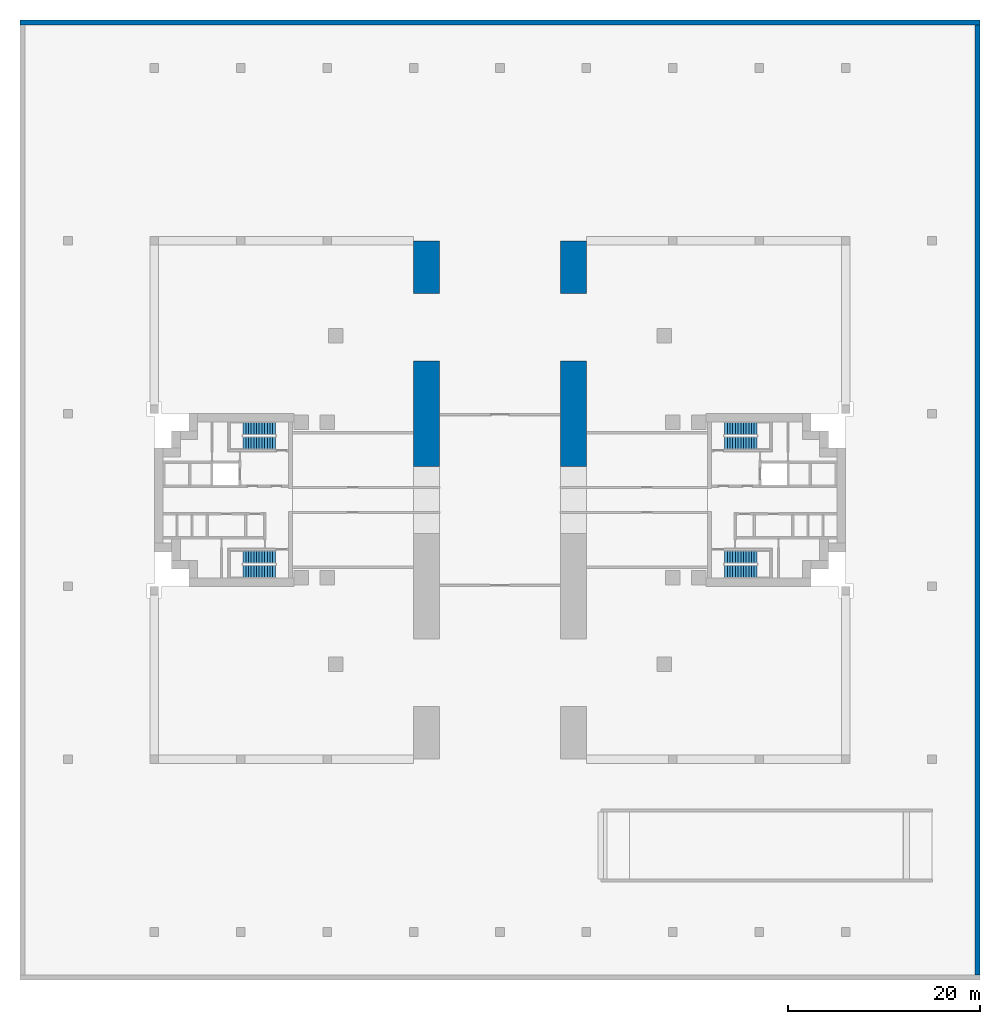
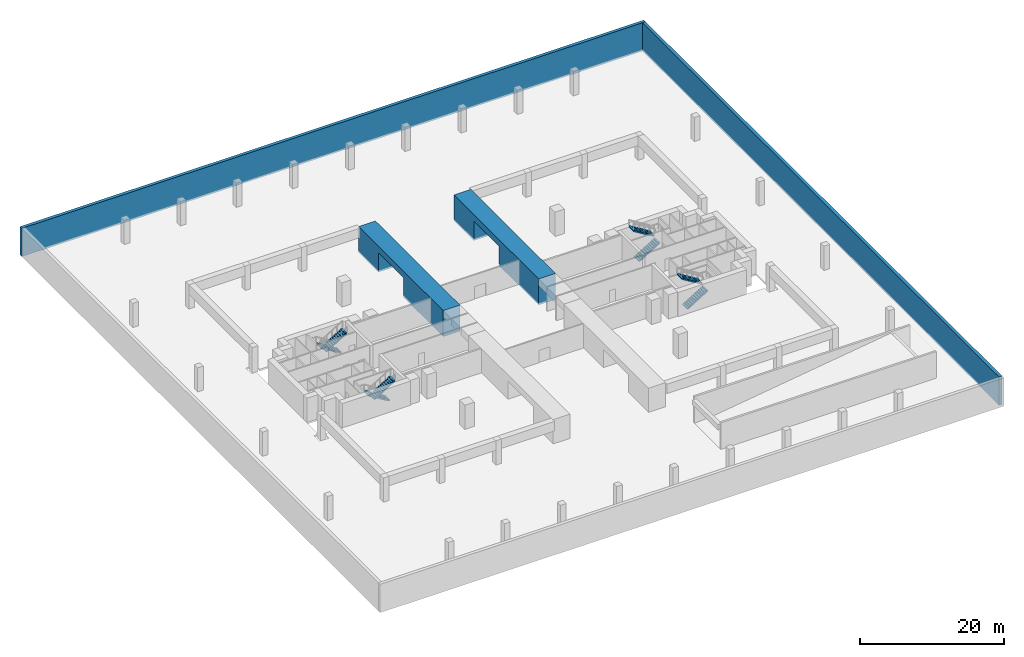
# One storey, part 7 of 9: 8 stair flights, 4 walls, 4 elements without a shape of their own.
"""IFC4 building model written with IfcOpenShell, lengths in metres."""

from ifc_helpers import new_model, si_unit, direction, frame, frame_2d, origin, place, context, subcontext, project, spatial, polyline, rectangle, outline, extrude, material, layer, layer_set, material_profile, profile_set, type_object, element, aggregate, save


model = new_model("IFC4")

# Units and contexts
model_context = context("Model", 3, precision=1e-05, world=origin(), true_north=direction((0.0, 1.0)))
body_context = subcontext(model_context, "Body", "Model", "MODEL_VIEW")
ifc_project = project(units=[si_unit("LENGTHUNIT", "METRE"), si_unit("AREAUNIT", "SQUARE_METRE"), si_unit("VOLUMEUNIT", "CUBIC_METRE"), si_unit("PLANEANGLEUNIT", "RADIAN"), si_unit("MASSUNIT", "GRAM", prefix="KILO")], contexts=[model_context])

# Site, building, storey
site_placement = place(None, origin())
site = spatial("IfcSite", under=ifc_project, at=site_placement, CompositionType="ELEMENT")
building_placement = place(site_placement, origin())
building = spatial("IfcBuilding", under=site, at=building_placement, Name="Perihelion Cross Residences", CompositionType="ELEMENT")
storey_placement = place(building_placement, frame((0.0, 0.0, -4.5)))
storey = spatial("IfcBuildingStorey", under=building, at=storey_placement, Name="B1", CompositionType="ELEMENT", Elevation=-4.5)

# Walls
ifc_material_1 = material(Name="Concrete C40/50", Category="concrete")
ifc_layer = layer(ifc_material_1, 0.5)
ifc_layer_set = layer_set([ifc_layer], Name="Basement retaining wall 500 concrete C40/50")
wall_type_1 = type_object("IfcWallType", Name="Basement retaining wall 500 concrete C40/50", PredefinedType="SOLIDWALL", material=ifc_layer_set)
wall_1_placement = place(storey_placement, frame((-50.0, 49.75, -0.300048828125), z_axis=(0.0, 0.0, 1.0), x_axis=(1.0, 0.0, 0.0)))
element("IfcWall", 1, at=wall_1_placement, inside=storey, type_object=wall_type_1, Name="Wall SW1 B1 retaining north", PredefinedType="SOLIDWALL", context=body_context, shape_type="SweptSolid", body=[
    extrude(rectangle(XDim=100.0, YDim=0.5, at=frame_2d((50.0, 0.0))), origin(), (0.0, 0.0, 1.0), 4.800048828125),
])
wall_2_placement = place(storey_placement, frame((49.75, -49.5, -0.300048828125), z_axis=(0.0, 0.0, 1.0), x_axis=(0.0, 1.0, 0.0)))
element("IfcWall", 2, at=wall_2_placement, inside=storey, type_object=wall_type_1, Name="Wall SW1 B1 retaining east", PredefinedType="SOLIDWALL", context=body_context, shape_type="SweptSolid", body=[
    extrude(rectangle(XDim=99.0, YDim=0.5, at=frame_2d((49.5, 0.0))), origin(), (0.0, 0.0, 1.0), 4.800048828125),
])
ifc_material_2 = material(Name="Concrete C60/75", Category="concrete")
ifc_material_profile = material_profile(ifc_material_2, outline(polyline([(0.0, 0.0), (11.0, 0.0), (11.0, 3.300048828125), (18.0, 3.300048828125), (18.0, 0.0), (23.5, 0.0), (23.5, 4.39990234375), (0.0, 4.39990234375), (0.0, 0.0)])), Name="Pier wall")
ifc_profile_set = profile_set([ifc_material_profile], Name="Concrete C60/75")
wall_type_2 = type_object("IfcWallType", Name="Pier wall 2700 with 1 lane openings 23500 long 4400 high concrete C60/75 hand B", PredefinedType="SOLIDWALL", material=ifc_profile_set)
for number, where, z_axis, x_axis, name in (
    (3, (6.300048828125, 3.5, -0.300048828125), (1.0, 0.0, 0.0), (0.0, 1.0, 0.0), "Shear wall SW9 B1 pier east north"),
    (4, (-9.0, 3.5, -0.300048828125), (1.0, 0.0, 0.0), (0.0, 1.0, 0.0), "Shear wall SW9 B1 pier west north"),
):
    element("IfcWall", number, at=place(storey_placement, frame(where, z_axis=z_axis, x_axis=x_axis)), inside=storey, type_object=wall_type_2, Name=name, PredefinedType="SOLIDWALL", context=body_context, shape_type="SweptSolid", body=[
        extrude(outline(polyline([(0.0, 0.0), (11.0, 0.0), (11.0, 3.300048828125), (18.0, 3.300048828125), (18.0, 0.0), (23.5, 0.0), (23.5, 4.39990234375), (0.0, 4.39990234375), (0.0, 0.0)])), origin(), (0.0, 0.0, 1.0), 2.699951171875),
    ])

# Stair, stair flights
ifc_material_3 = material(Name="Concrete C40/50", Category="concrete")
stair_type = type_object("IfcStairType", Name="Exit stair, half-turn", PredefinedType="HALF_TURN_STAIR", material=ifc_material_3)
stair_1_placement = place(storey_placement, origin())
stair_1 = element("IfcStair", 5, at=stair_1_placement, inside=storey, type_object=stair_type, Name="B1 East core exit stair 1", PredefinedType="HALF_TURN_STAIR")
ifc_material_4 = material(Name="Concrete C40/50", Category="concrete")
stair_flight_type = type_object("IfcStairFlightType", Name="Exit stair flight", PredefinedType="STRAIGHT", material=ifc_material_4)
stair_flight_1_placement = place(storey_placement, frame((23.39990234375, 5.925048828125, 0.0), z_axis=(0.0, 0.0, 1.0), x_axis=(1.0, 0.0, 0.0)))
stair_flight_1 = element("IfcStairFlight", 6, at=stair_flight_1_placement, type_object=stair_flight_type, Name="ST-E1 flight 1", NumberOfRisers=13, NumberOfTreads=12, PredefinedType="STRAIGHT", RiserHeight=0.173076923, TreadLength=0.28, context=body_context, shape_type="SweptSolid", body=[
    extrude(outline(polyline([(0.0, 0.0), (0.0, 0.173095703125), (0.280029296875, 0.173095703125), (0.280029296875, 0.34619140625), (0.56005859375, 0.34619140625), (0.56005859375, 0.519287109375), (0.840087890625, 0.519287109375), (0.840087890625, 0.6923828125), (1.1201171875, 0.6923828125), (1.1201171875, 0.865478515625), (1.39990234375, 0.865478515625), (1.39990234375, 1.03857421875), (1.679931640625, 1.03857421875), (1.679931640625, 1.21142578125), (1.9599609375, 1.21142578125), (1.9599609375, 1.384521484375), (2.239990234375, 1.384521484375), (2.239990234375, 1.5576171875), (2.52001953125, 1.5576171875), (2.52001953125, 1.730712890625), (2.800048828125, 1.730712890625), (2.800048828125, 1.90380859375), (3.080078125, 1.90380859375), (3.080078125, 2.076904296875), (3.360107421875, 2.076904296875), (3.360107421875, 2.25), (3.360107421875, 1.900634765625), (0.28515625, 0.0), (0.0, 0.0)])), frame((0.0, 0.675048828125, 0.0), z_axis=(0.0, -1.0, 0.0), x_axis=(1.0, 0.0, 0.0)), (0.0, 0.0, 1.0), 1.35009765625),
])
stair_flight_2_placement = place(storey_placement, frame((26.760009765625, 7.425048828125, 2.25), z_axis=(0.0, 0.0, 1.0), x_axis=(-1.0, 0.0, 0.0)))
stair_flight_2 = element("IfcStairFlight", 7, at=stair_flight_2_placement, type_object=stair_flight_type, Name="ST-E1 flight 2", NumberOfRisers=13, NumberOfTreads=12, PredefinedType="STRAIGHT", RiserHeight=0.173076923, TreadLength=0.28, context=body_context, shape_type="SweptSolid", body=[
    extrude(outline(polyline([(0.0, 0.0), (0.0, 0.173095703125), (0.280029296875, 0.173095703125), (0.280029296875, 0.34619140625), (0.56005859375, 0.34619140625), (0.56005859375, 0.519287109375), (0.840087890625, 0.519287109375), (0.840087890625, 0.6923828125), (1.1201171875, 0.6923828125), (1.1201171875, 0.865478515625), (1.39990234375, 0.865478515625), (1.39990234375, 1.03857421875), (1.679931640625, 1.03857421875), (1.679931640625, 1.21142578125), (1.9599609375, 1.21142578125), (1.9599609375, 1.384521484375), (2.239990234375, 1.384521484375), (2.239990234375, 1.5576171875), (2.52001953125, 1.5576171875), (2.52001953125, 1.730712890625), (2.800048828125, 1.730712890625), (2.800048828125, 1.90380859375), (3.080078125, 1.90380859375), (3.080078125, 2.076904296875), (3.360107421875, 2.076904296875), (3.360107421875, 2.25), (3.360107421875, 1.900634765625), (0.28515625, 0.0), (0.0, 0.0)])), frame((0.0, 0.675048828125, 0.0), z_axis=(0.0, -1.0, 0.0), x_axis=(1.0, 0.0, 0.0)), (0.0, 0.0, 1.0), 1.35009765625),
])
aggregate(stair_1, [stair_flight_1, stair_flight_2])

stair_2_placement = place(storey_placement, origin())
stair_2 = element("IfcStair", 8, at=stair_2_placement, inside=storey, type_object=stair_type, Name="B1 East core exit stair 2", PredefinedType="HALF_TURN_STAIR")
stair_flight_3_placement = place(storey_placement, frame((23.39990234375, -7.425048828125, 0.0), z_axis=(0.0, 0.0, 1.0), x_axis=(1.0, 0.0, 0.0)))
stair_flight_3 = element("IfcStairFlight", 9, at=stair_flight_3_placement, type_object=stair_flight_type, Name="ST-E2 flight 1", NumberOfRisers=13, NumberOfTreads=12, PredefinedType="STRAIGHT", RiserHeight=0.173076923, TreadLength=0.28, context=body_context, shape_type="SweptSolid", body=[
    extrude(outline(polyline([(0.0, 0.0), (0.0, 0.173095703125), (0.280029296875, 0.173095703125), (0.280029296875, 0.34619140625), (0.56005859375, 0.34619140625), (0.56005859375, 0.519287109375), (0.840087890625, 0.519287109375), (0.840087890625, 0.6923828125), (1.1201171875, 0.6923828125), (1.1201171875, 0.865478515625), (1.39990234375, 0.865478515625), (1.39990234375, 1.03857421875), (1.679931640625, 1.03857421875), (1.679931640625, 1.21142578125), (1.9599609375, 1.21142578125), (1.9599609375, 1.384521484375), (2.239990234375, 1.384521484375), (2.239990234375, 1.5576171875), (2.52001953125, 1.5576171875), (2.52001953125, 1.730712890625), (2.800048828125, 1.730712890625), (2.800048828125, 1.90380859375), (3.080078125, 1.90380859375), (3.080078125, 2.076904296875), (3.360107421875, 2.076904296875), (3.360107421875, 2.25), (3.360107421875, 1.900634765625), (0.28515625, 0.0), (0.0, 0.0)])), frame((0.0, 0.675048828125, 0.0), z_axis=(0.0, -1.0, 0.0), x_axis=(1.0, 0.0, 0.0)), (0.0, 0.0, 1.0), 1.35009765625),
])
stair_flight_4_placement = place(storey_placement, frame((26.760009765625, -5.925048828125, 2.25), z_axis=(0.0, 0.0, 1.0), x_axis=(-1.0, 0.0, 0.0)))
stair_flight_4 = element("IfcStairFlight", 10, at=stair_flight_4_placement, type_object=stair_flight_type, Name="ST-E2 flight 2", NumberOfRisers=13, NumberOfTreads=12, PredefinedType="STRAIGHT", RiserHeight=0.173076923, TreadLength=0.28, context=body_context, shape_type="SweptSolid", body=[
    extrude(outline(polyline([(0.0, 0.0), (0.0, 0.173095703125), (0.280029296875, 0.173095703125), (0.280029296875, 0.34619140625), (0.56005859375, 0.34619140625), (0.56005859375, 0.519287109375), (0.840087890625, 0.519287109375), (0.840087890625, 0.6923828125), (1.1201171875, 0.6923828125), (1.1201171875, 0.865478515625), (1.39990234375, 0.865478515625), (1.39990234375, 1.03857421875), (1.679931640625, 1.03857421875), (1.679931640625, 1.21142578125), (1.9599609375, 1.21142578125), (1.9599609375, 1.384521484375), (2.239990234375, 1.384521484375), (2.239990234375, 1.5576171875), (2.52001953125, 1.5576171875), (2.52001953125, 1.730712890625), (2.800048828125, 1.730712890625), (2.800048828125, 1.90380859375), (3.080078125, 1.90380859375), (3.080078125, 2.076904296875), (3.360107421875, 2.076904296875), (3.360107421875, 2.25), (3.360107421875, 1.900634765625), (0.28515625, 0.0), (0.0, 0.0)])), frame((0.0, 0.675048828125, 0.0), z_axis=(0.0, -1.0, 0.0), x_axis=(1.0, 0.0, 0.0)), (0.0, 0.0, 1.0), 1.35009765625),
])
aggregate(stair_2, [stair_flight_3, stair_flight_4])

stair_3_placement = place(storey_placement, origin())
stair_3 = element("IfcStair", 11, at=stair_3_placement, inside=storey, type_object=stair_type, Name="B1 West core exit stair 1", PredefinedType="HALF_TURN_STAIR")
stair_flight_5_placement = place(storey_placement, frame((-23.39990234375, 7.425048828125, 0.0), z_axis=(0.0, 0.0, 1.0), x_axis=(-1.0, 0.0, 0.0)))
stair_flight_5 = element("IfcStairFlight", 12, at=stair_flight_5_placement, type_object=stair_flight_type, Name="ST-W1 flight 1", NumberOfRisers=13, NumberOfTreads=12, PredefinedType="STRAIGHT", RiserHeight=0.173076923, TreadLength=0.28, context=body_context, shape_type="SweptSolid", body=[
    extrude(outline(polyline([(0.0, 0.0), (0.0, 0.173095703125), (0.280029296875, 0.173095703125), (0.280029296875, 0.34619140625), (0.56005859375, 0.34619140625), (0.56005859375, 0.519287109375), (0.840087890625, 0.519287109375), (0.840087890625, 0.6923828125), (1.1201171875, 0.6923828125), (1.1201171875, 0.865478515625), (1.39990234375, 0.865478515625), (1.39990234375, 1.03857421875), (1.679931640625, 1.03857421875), (1.679931640625, 1.21142578125), (1.9599609375, 1.21142578125), (1.9599609375, 1.384521484375), (2.239990234375, 1.384521484375), (2.239990234375, 1.5576171875), (2.52001953125, 1.5576171875), (2.52001953125, 1.730712890625), (2.800048828125, 1.730712890625), (2.800048828125, 1.90380859375), (3.080078125, 1.90380859375), (3.080078125, 2.076904296875), (3.360107421875, 2.076904296875), (3.360107421875, 2.25), (3.360107421875, 1.900634765625), (0.28515625, 0.0), (0.0, 0.0)])), frame((0.0, 0.675048828125, 0.0), z_axis=(0.0, -1.0, 0.0), x_axis=(1.0, 0.0, 0.0)), (0.0, 0.0, 1.0), 1.35009765625),
])
stair_flight_6_placement = place(storey_placement, frame((-26.760009765625, 5.925048828125, 2.25), z_axis=(0.0, 0.0, 1.0), x_axis=(1.0, 0.0, 0.0)))
stair_flight_6 = element("IfcStairFlight", 13, at=stair_flight_6_placement, type_object=stair_flight_type, Name="ST-W1 flight 2", NumberOfRisers=13, NumberOfTreads=12, PredefinedType="STRAIGHT", RiserHeight=0.173076923, TreadLength=0.28, context=body_context, shape_type="SweptSolid", body=[
    extrude(outline(polyline([(0.0, 0.0), (0.0, 0.173095703125), (0.280029296875, 0.173095703125), (0.280029296875, 0.34619140625), (0.56005859375, 0.34619140625), (0.56005859375, 0.519287109375), (0.840087890625, 0.519287109375), (0.840087890625, 0.6923828125), (1.1201171875, 0.6923828125), (1.1201171875, 0.865478515625), (1.39990234375, 0.865478515625), (1.39990234375, 1.03857421875), (1.679931640625, 1.03857421875), (1.679931640625, 1.21142578125), (1.9599609375, 1.21142578125), (1.9599609375, 1.384521484375), (2.239990234375, 1.384521484375), (2.239990234375, 1.5576171875), (2.52001953125, 1.5576171875), (2.52001953125, 1.730712890625), (2.800048828125, 1.730712890625), (2.800048828125, 1.90380859375), (3.080078125, 1.90380859375), (3.080078125, 2.076904296875), (3.360107421875, 2.076904296875), (3.360107421875, 2.25), (3.360107421875, 1.900634765625), (0.28515625, 0.0), (0.0, 0.0)])), frame((0.0, 0.675048828125, 0.0), z_axis=(0.0, -1.0, 0.0), x_axis=(1.0, 0.0, 0.0)), (0.0, 0.0, 1.0), 1.35009765625),
])
aggregate(stair_3, [stair_flight_5, stair_flight_6])

stair_4_placement = place(storey_placement, origin())
stair_4 = element("IfcStair", 14, at=stair_4_placement, inside=storey, type_object=stair_type, Name="B1 West core exit stair 2", PredefinedType="HALF_TURN_STAIR")
stair_flight_7_placement = place(storey_placement, frame((-23.39990234375, -5.925048828125, 0.0), z_axis=(0.0, 0.0, 1.0), x_axis=(-1.0, 0.0, 0.0)))
stair_flight_7 = element("IfcStairFlight", 15, at=stair_flight_7_placement, type_object=stair_flight_type, Name="ST-W2 flight 1", NumberOfRisers=13, NumberOfTreads=12, PredefinedType="STRAIGHT", RiserHeight=0.173076923, TreadLength=0.28, context=body_context, shape_type="SweptSolid", body=[
    extrude(outline(polyline([(0.0, 0.0), (0.0, 0.173095703125), (0.280029296875, 0.173095703125), (0.280029296875, 0.34619140625), (0.56005859375, 0.34619140625), (0.56005859375, 0.519287109375), (0.840087890625, 0.519287109375), (0.840087890625, 0.6923828125), (1.1201171875, 0.6923828125), (1.1201171875, 0.865478515625), (1.39990234375, 0.865478515625), (1.39990234375, 1.03857421875), (1.679931640625, 1.03857421875), (1.679931640625, 1.21142578125), (1.9599609375, 1.21142578125), (1.9599609375, 1.384521484375), (2.239990234375, 1.384521484375), (2.239990234375, 1.5576171875), (2.52001953125, 1.5576171875), (2.52001953125, 1.730712890625), (2.800048828125, 1.730712890625), (2.800048828125, 1.90380859375), (3.080078125, 1.90380859375), (3.080078125, 2.076904296875), (3.360107421875, 2.076904296875), (3.360107421875, 2.25), (3.360107421875, 1.900634765625), (0.28515625, 0.0), (0.0, 0.0)])), frame((0.0, 0.675048828125, 0.0), z_axis=(0.0, -1.0, 0.0), x_axis=(1.0, 0.0, 0.0)), (0.0, 0.0, 1.0), 1.35009765625),
])
stair_flight_8_placement = place(storey_placement, frame((-26.760009765625, -7.425048828125, 2.25), z_axis=(0.0, 0.0, 1.0), x_axis=(1.0, 0.0, 0.0)))
stair_flight_8 = element("IfcStairFlight", 16, at=stair_flight_8_placement, type_object=stair_flight_type, Name="ST-W2 flight 2", NumberOfRisers=13, NumberOfTreads=12, PredefinedType="STRAIGHT", RiserHeight=0.173076923, TreadLength=0.28, context=body_context, shape_type="SweptSolid", body=[
    extrude(outline(polyline([(0.0, 0.0), (0.0, 0.173095703125), (0.280029296875, 0.173095703125), (0.280029296875, 0.34619140625), (0.56005859375, 0.34619140625), (0.56005859375, 0.519287109375), (0.840087890625, 0.519287109375), (0.840087890625, 0.6923828125), (1.1201171875, 0.6923828125), (1.1201171875, 0.865478515625), (1.39990234375, 0.865478515625), (1.39990234375, 1.03857421875), (1.679931640625, 1.03857421875), (1.679931640625, 1.21142578125), (1.9599609375, 1.21142578125), (1.9599609375, 1.384521484375), (2.239990234375, 1.384521484375), (2.239990234375, 1.5576171875), (2.52001953125, 1.5576171875), (2.52001953125, 1.730712890625), (2.800048828125, 1.730712890625), (2.800048828125, 1.90380859375), (3.080078125, 1.90380859375), (3.080078125, 2.076904296875), (3.360107421875, 2.076904296875), (3.360107421875, 2.25), (3.360107421875, 1.900634765625), (0.28515625, 0.0), (0.0, 0.0)])), frame((0.0, 0.675048828125, 0.0), z_axis=(0.0, -1.0, 0.0), x_axis=(1.0, 0.0, 0.0)), (0.0, 0.0, 1.0), 1.35009765625),
])
aggregate(stair_4, [stair_flight_7, stair_flight_8])

save(model, "model.ifc")
